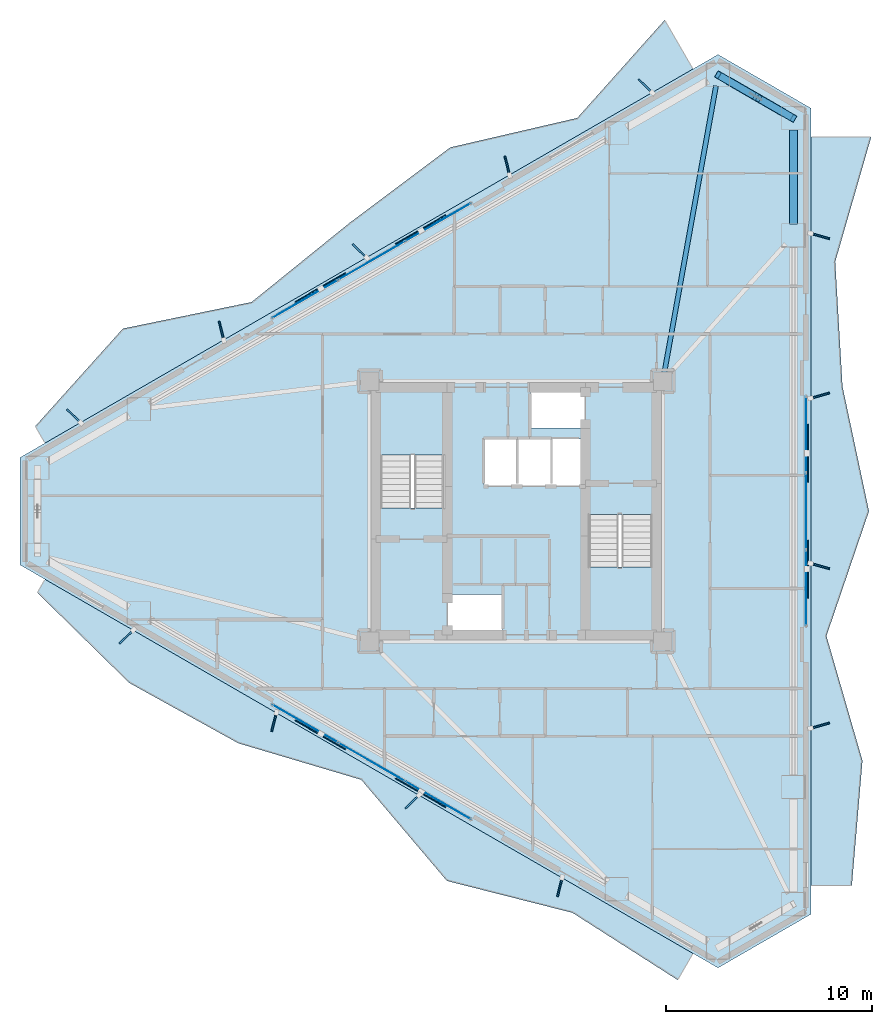
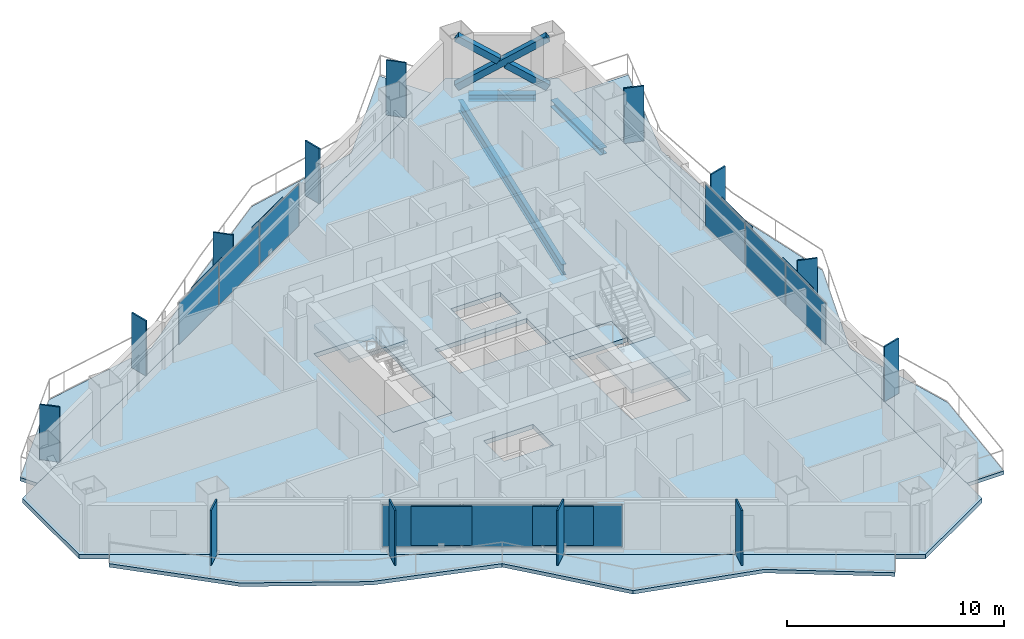
# One storey, part 14 of 22: 28 plates, 8 slabs, 3 beams, 3 members, 5 elements without a shape of their own.
"""IFC4 building model written with IfcOpenShell, lengths in metres."""

from ifc_helpers import new_model, si_unit, direction, frame, origin, origin_2d, place, context, subcontext, project, spatial, polyline, rectangle, hollow_rectangle, i_section, outline, extrude, material, layer, layer_set, material_profile, profile_set, type_object, element, aggregate, save


model = new_model("IFC4")

# Units and contexts
model_context = context("Model", 3, precision=1e-05, world=origin(), true_north=direction((0.0, 1.0)))
body_context = subcontext(model_context, "Body", "Model", "MODEL_VIEW")
ifc_project = project(units=[si_unit("LENGTHUNIT", "METRE"), si_unit("AREAUNIT", "SQUARE_METRE"), si_unit("VOLUMEUNIT", "CUBIC_METRE"), si_unit("PLANEANGLEUNIT", "RADIAN"), si_unit("MASSUNIT", "GRAM", prefix="KILO")], contexts=[model_context])

# Site, building, storey
site_placement = place(None, origin())
site = spatial("IfcSite", under=ifc_project, at=site_placement, CompositionType="ELEMENT")
building_placement = place(site_placement, origin())
building = spatial("IfcBuilding", under=site, at=building_placement, Name="Mersakhor Tower and Convention Hall", CompositionType="ELEMENT")
storey_placement = place(building_placement, frame((0.0, 0.0, 86.699951171875)))
storey = spatial("IfcBuildingStorey", under=building, at=storey_placement, Name="L23", CompositionType="ELEMENT", Elevation=86.699951171875)

# Beams
ifc_material_1 = material(Name="Steel S355", Category="steel")
ifc_material_profile_1 = material_profile(ifc_material_1, i_section(OverallWidth=0.22900390625, OverallDepth=0.6123046875, WebThickness=0.011962890625, FlangeThickness=0.01953125, at=origin_2d()), Name="UB 610x229x125")
ifc_profile_set_1 = profile_set([ifc_material_profile_1], Name="Steel S355")
beam_type_1 = type_object("IfcBeamType", Name="BM-PR-610", PredefinedType="BEAM", material=ifc_profile_set_1)
beam_1_placement = place(storey_placement, frame((36.17626953125, 33.47314453125, -0.55615234375), z_axis=(0.177414716723, 0.984136178732, 0.0), x_axis=(-0.984136178732, 0.177414716723, 0.0)))
element("IfcBeam", 1, at=beam_1_placement, inside=storey, type_object=beam_type_1, Name="L23 Primary Floor Girder FG-2", PredefinedType="BEAM", context=body_context, shape_type="SweptSolid", body=[
    extrude(i_section(OverallWidth=0.22900390625, OverallDepth=0.6123046875, WebThickness=0.011962890625, FlangeThickness=0.01953125, at=origin_2d()), origin(), (0.0, 0.0, 1.0), 14.11328125),
])
ifc_material_2 = material(Name="Steel S355", Category="steel")
ifc_material_profile_2 = material_profile(ifc_material_2, i_section(OverallWidth=0.374755859375, OverallDepth=0.37451171875, WebThickness=0.0166015625, FlangeThickness=0.027099609375, at=origin_2d()), Name="UC 356x368x202")
ifc_profile_set_2 = profile_set([ifc_material_profile_2], Name="Steel S355")
beam_type_2 = type_object("IfcBeamType", Name="BM-SPD-UC356", PredefinedType="SPANDREL", material=ifc_profile_set_2)
beam_2_placement = place(storey_placement, frame((39.25927734375, 47.631103515625, -0.437255859375), z_axis=(0.866052319632, -0.499953377486, 0.0), x_axis=(0.499953377486, 0.866052319632, 0.0)))
element("IfcBeam", 2, at=beam_2_placement, inside=storey, type_object=beam_type_2, Name="L23 Perimeter Spandrel Beam SPB-04", PredefinedType="SPANDREL", context=body_context, shape_type="SweptSolid", body=[
    extrude(i_section(OverallWidth=0.374755859375, OverallDepth=0.37451171875, WebThickness=0.0166015625, FlangeThickness=0.027099609375, at=origin_2d()), origin(), (0.0, 0.0, 1.0), 3.111572265625),
])
beam_3_placement = place(storey_placement, frame((42.4345703125, 45.242919921875, -0.437255859375), z_axis=(0.0, -1.0, 0.0), x_axis=(1.0, 0.0, 0.0)))
element("IfcBeam", 3, at=beam_3_placement, inside=storey, type_object=beam_type_2, Name="L23 Perimeter Spandrel Beam SPB-05", PredefinedType="SPANDREL", context=body_context, shape_type="SweptSolid", body=[
    extrude(i_section(OverallWidth=0.374755859375, OverallDepth=0.37451171875, WebThickness=0.0166015625, FlangeThickness=0.027099609375, at=origin_2d()), origin(), (0.0, 0.0, 1.0), 4.566162109375),
])

# Members
ifc_material_3 = material(Name="Steel S460", Category="steel")
ifc_material_profile_3 = material_profile(ifc_material_3, hollow_rectangle(XDim=0.35009765625, YDim=0.35009765625, WallThickness=0.02001953125, at=origin_2d()), Name="SHS 350x350x20")
ifc_profile_set_3 = profile_set([ifc_material_profile_3], Name="Steel S460")
member_type = type_object("IfcMemberType", Name="MB-BRC-SHS350", PredefinedType="BRACE", material=ifc_profile_set_3)
member_placement = place(storey_placement, frame((38.77880859375, 47.90869140625, 0.150146484375), z_axis=(0.725633725484, -0.418933054415, 0.545848689986), x_axis=(0.49998946241, 0.866031487579, 0.0)))
element("IfcMember", 4, at=member_placement, inside=storey, type_object=member_type, Name="L23 Chamfer Braced Frame Diagonal CB-1A", PredefinedType="BRACE", context=body_context, shape_type="SweptSolid", body=[
    extrude(hollow_rectangle(XDim=0.35009765625, YDim=0.35009765625, WallThickness=0.02001953125, at=origin_2d()), origin(), (0.0, 0.0, 1.0), 5.0380859375),
])
for number, where, z_axis, x_axis, name in (
    (5, (42.4345703125, 45.798095703125, 0.150146484375), (-0.725684866011, 0.418886985747, 0.545816057307), (-0.499921796684, -0.866070549782, 0.0), "L23 Chamfer Braced Frame Diagonal CB-1B Lower Half"),
    (6, (40.4619140625, 46.93701171875, 1.6337890625), (-0.725593346201, 0.41889491121, 0.545931634283), (-0.499976186015, -0.866039152359, 0.0), "L23 Chamfer Braced Frame Diagonal CB-1B Upper Half"),
):
    element("IfcMember", number, at=place(storey_placement, frame(where, z_axis=z_axis, x_axis=x_axis)), inside=storey, type_object=member_type, Name=name, PredefinedType="BRACE", context=body_context, shape_type="SweptSolid", body=[
        extrude(hollow_rectangle(XDim=0.35009765625, YDim=0.35009765625, WallThickness=0.02001953125, at=origin_2d()), origin(), (0.0, 0.0, 1.0), 2.319580078125),
    ])

# Curtain wall, plates
ifc_material_4 = material(Name="Dark solar low-E aluminium curtain wall", Category="aluminium")
ifc_layer_1 = layer(ifc_material_4, 0.159912109375)
ifc_layer_set_1 = layer_set([ifc_layer_1], Name="Dark solar low-E aluminium curtain wall")
curtain_wall_type = type_object("IfcCurtainWallType", Name="CW-SYS-01", PredefinedType="USERDEFINED", material=ifc_layer_set_1)
curtain_wall_1_placement = place(storey_placement, origin())
curtain_wall_1 = element("IfcCurtainWall", 7, at=curtain_wall_1_placement, inside=storey, type_object=curtain_wall_type, Name="L23 Dark-Glass Curtain Wall F1-B2", ObjectType="CURTAIN WALL", PredefinedType="USERDEFINED")
ifc_material_5 = material(Name="Dark solar double glazing", Category="glass")
ifc_layer_2 = layer(ifc_material_5, 0.02392578125)
ifc_layer_set_2 = layer_set([ifc_layer_2], Name="Dark solar double glazing")
plate_type_1 = type_object("IfcPlateType", Name="CWP-GLZ-24", PredefinedType="CURTAIN_PANEL", material=ifc_layer_set_2)
plate_1_placement = place(storey_placement, frame((18.75732421875, 37.042236328125, 0.260009765625), z_axis=(0.0, 0.0, 1.0), x_axis=(0.866026613339, 0.499997904985, 0.0)))
plate_1 = element("IfcPlate", 8, at=plate_1_placement, type_object=plate_type_1, Name="CW-01 panel 1.1", PredefinedType="CURTAIN_PANEL", context=body_context, shape_type="SweptSolid", body=[
    extrude(rectangle(XDim=3.630615234375, YDim=0.02392578125, at=origin_2d()), origin(), (0.0, 0.0, 1.0), 2.35009765625),
])
plate_2_placement = place(storey_placement, frame((21.982666015625, 38.904296875, 0.260009765625), z_axis=(0.0, 0.0, 1.0), x_axis=(0.866026613339, 0.499997904985, 0.0)))
plate_2 = element("IfcPlate", 9, at=plate_2_placement, type_object=plate_type_1, Name="CW-01 panel 2.1", PredefinedType="CURTAIN_PANEL", context=body_context, shape_type="SweptSolid", body=[
    extrude(rectangle(XDim=3.668212890625, YDim=0.02392578125, at=origin_2d()), origin(), (0.0, 0.0, 1.0), 2.35009765625),
])
plate_3_placement = place(storey_placement, frame((25.2080078125, 40.7666015625, 0.260009765625), z_axis=(0.0, 0.0, 1.0), x_axis=(0.866026613339, 0.499997904985, 0.0)))
plate_3 = element("IfcPlate", 10, at=plate_3_placement, type_object=plate_type_1, Name="CW-01 panel 3.1", PredefinedType="CURTAIN_PANEL", context=body_context, shape_type="SweptSolid", body=[
    extrude(rectangle(XDim=3.630615234375, YDim=0.02392578125, at=origin_2d()), origin(), (0.0, 0.0, 1.0), 2.35009765625),
])
aggregate(curtain_wall_1, [plate_1, plate_2, plate_3])

curtain_wall_2_placement = place(storey_placement, origin())
curtain_wall_2 = element("IfcCurtainWall", 11, at=curtain_wall_2_placement, inside=storey, type_object=curtain_wall_type, Name="L23 Dark-Glass Curtain Wall F2-B2", ObjectType="CURTAIN WALL", PredefinedType="USERDEFINED")
plate_4_placement = place(storey_placement, frame((43.03466796875, 30.474365234375, 0.260009765625), z_axis=(0.0, 0.0, 1.0), x_axis=(0.0, -1.0, 0.0)))
plate_4 = element("IfcPlate", 12, at=plate_4_placement, type_object=plate_type_1, Name="CW-01 panel 1.1", PredefinedType="CURTAIN_PANEL", context=body_context, shape_type="SweptSolid", body=[
    extrude(rectangle(XDim=3.630615234375, YDim=0.02392578125, at=origin_2d()), origin(), (0.0, 0.0, 1.0), 2.35009765625),
])
plate_5_placement = place(storey_placement, frame((43.03466796875, 26.75, 0.260009765625), z_axis=(0.0, 0.0, 1.0), x_axis=(0.0, -1.0, 0.0)))
plate_5 = element("IfcPlate", 13, at=plate_5_placement, type_object=plate_type_1, Name="CW-01 panel 2.1", PredefinedType="CURTAIN_PANEL", context=body_context, shape_type="SweptSolid", body=[
    extrude(rectangle(XDim=3.668212890625, YDim=0.02392578125, at=origin_2d()), origin(), (0.0, 0.0, 1.0), 2.35009765625),
])
plate_6_placement = place(storey_placement, frame((43.03466796875, 23.025634765625, 0.260009765625), z_axis=(0.0, 0.0, 1.0), x_axis=(0.0, -1.0, 0.0)))
plate_6 = element("IfcPlate", 14, at=plate_6_placement, type_object=plate_type_1, Name="CW-01 panel 3.1", PredefinedType="CURTAIN_PANEL", context=body_context, shape_type="SweptSolid", body=[
    extrude(rectangle(XDim=3.630615234375, YDim=0.02392578125, at=origin_2d()), origin(), (0.0, 0.0, 1.0), 2.35009765625),
])
aggregate(curtain_wall_2, [plate_4, plate_5, plate_6])

curtain_wall_3_placement = place(storey_placement, origin())
curtain_wall_3 = element("IfcCurtainWall", 15, at=curtain_wall_3_placement, inside=storey, type_object=curtain_wall_type, Name="L23 Dark-Glass Curtain Wall F3-B2", ObjectType="CURTAIN WALL", PredefinedType="USERDEFINED")
plate_7_placement = place(storey_placement, frame((25.2080078125, 12.7333984375, 0.260009765625), z_axis=(0.0, 0.0, 1.0), x_axis=(-0.866026613339, 0.499997904985, 0.0)))
plate_7 = element("IfcPlate", 16, at=plate_7_placement, type_object=plate_type_1, Name="CW-01 panel 1.1", PredefinedType="CURTAIN_PANEL", context=body_context, shape_type="SweptSolid", body=[
    extrude(rectangle(XDim=3.630615234375, YDim=0.02392578125, at=origin_2d()), origin(), (0.0, 0.0, 1.0), 2.35009765625),
])
plate_8_placement = place(storey_placement, frame((21.982666015625, 14.595703125, 0.260009765625), z_axis=(0.0, 0.0, 1.0), x_axis=(-0.866026613339, 0.499997904985, 0.0)))
plate_8 = element("IfcPlate", 17, at=plate_8_placement, type_object=plate_type_1, Name="CW-01 panel 2.1", PredefinedType="CURTAIN_PANEL", context=body_context, shape_type="SweptSolid", body=[
    extrude(rectangle(XDim=3.668212890625, YDim=0.02392578125, at=origin_2d()), origin(), (0.0, 0.0, 1.0), 2.35009765625),
])
plate_9_placement = place(storey_placement, frame((18.75732421875, 16.457763671875, 0.260009765625), z_axis=(0.0, 0.0, 1.0), x_axis=(-0.866026613339, 0.499997904985, 0.0)))
plate_9 = element("IfcPlate", 18, at=plate_9_placement, type_object=plate_type_1, Name="CW-01 panel 3.1", PredefinedType="CURTAIN_PANEL", context=body_context, shape_type="SweptSolid", body=[
    extrude(rectangle(XDim=3.630615234375, YDim=0.02392578125, at=origin_2d()), origin(), (0.0, 0.0, 1.0), 2.35009765625),
])
aggregate(curtain_wall_3, [plate_7, plate_8, plate_9])

# Plates
ifc_material_6 = material(Name="Ceramic-clad aluminium Zone 2 emerald-teal", Category="aluminium")
ifc_material_7 = material(Name="Ceramic-clad aluminium Zone 1 cobalt-slate", Category="masonry")
ifc_layer_3 = layer(ifc_material_7, 0.080078125)
ifc_layer_set_3 = layer_set([ifc_layer_3], Name="Ceramic-clad aluminium Zone 1 cobalt-slate")
plate_type_2 = type_object("IfcPlateType", Name="PL-FIN-80", PredefinedType="USERDEFINED", material=ifc_layer_set_3)
for number, where, z_axis, x_axis, name in (
    (19, (7.549560546875, 31.364013671875, 0.0), (0.0, 0.0, 1.0), (-0.719339800339, 0.694658370459, 0.0), "L23 Zone 2 Coloured Brise-Soleil Fin F1-1"),
    (20, (14.70458984375, 35.4951171875, 0.0), (0.0, 0.0, 1.0), (-0.2419218956, 0.970295726276, 0.0), "L23 Zone 2 Coloured Brise-Soleil Fin F1-2"),
    (21, (21.406005859375, 39.364013671875, 0.0), (0.0, 0.0, 1.0), (-0.719339800339, 0.694658370459, 0.0), "L23 Zone 2 Coloured Brise-Soleil Fin F1-3"),
    (22, (28.560791015625, 43.4951171875, 0.0), (0.0, 0.0, 1.0), (-0.2419218956, 0.970295726276, 0.0), "L23 Zone 2 Coloured Brise-Soleil Fin F1-4"),
    (23, (35.26220703125, 47.3642578125, 0.0), (0.0, 0.0, 1.0), (-0.719339800339, 0.694658370459, 0.0), "L23 Zone 2 Coloured Brise-Soleil Fin F1-5"),
    (24, (43.72119140625, 40.091064453125, 0.0), (0.0, 0.0, 1.0), (0.961261695938, -0.275637355817, 0.0), "L23 Zone 2 Coloured Brise-Soleil Fin F2-1"),
    (25, (43.72119140625, 32.35302734375, 0.0), (0.0, 0.0, 1.0), (0.961261695938, 0.275637355817, 0.0), "L23 Zone 2 Coloured Brise-Soleil Fin F2-2"),
    (26, (43.72119140625, 24.091064453125, 0.0), (0.0, 0.0, 1.0), (0.961261695938, -0.275637355817, 0.0), "L23 Zone 2 Coloured Brise-Soleil Fin F2-3"),
    (27, (43.72119140625, 16.35302734375, 0.0), (0.0, 0.0, 1.0), (0.961261695938, 0.275637355817, 0.0), "L23 Zone 2 Coloured Brise-Soleil Fin F2-4"),
    (28, (31.110595703125, 8.532958984375, 0.0), (0.0, 0.0, 1.0), (-0.2419218956, -0.970295726276, 0.0), "L23 Zone 2 Coloured Brise-Soleil Fin F3-1"),
    (29, (23.95556640625, 12.663818359375, 0.0), (0.0, 0.0, 1.0), (-0.719339800339, -0.694658370459, 0.0), "L23 Zone 2 Coloured Brise-Soleil Fin F3-2"),
    (30, (17.254150390625, 16.532958984375, 0.0), (0.0, 0.0, 1.0), (-0.2419218956, -0.970295726276, 0.0), "L23 Zone 2 Coloured Brise-Soleil Fin F3-3"),
    (31, (10.09912109375, 20.663818359375, 0.0), (0.0, 0.0, 1.0), (-0.719339800339, -0.694658370459, 0.0), "L23 Zone 2 Coloured Brise-Soleil Fin F3-4"),
):
    element("IfcPlate", number, at=place(storey_placement, frame(where, z_axis=z_axis, x_axis=x_axis)), inside=storey, type_object=plate_type_2, material=ifc_material_6, Name=name, ObjectType="FIN", PredefinedType="USERDEFINED", context=body_context, shape_type="SweptSolid", body=[
        extrude(rectangle(XDim=0.949951171875, YDim=0.080078125, at=origin_2d()), origin(), (0.0, 0.0, 1.0), 3.10009765625),
    ])
ifc_material_8 = material(Name="Perforated ceramic cobogo solar screen", Category="aluminium")
ifc_layer_4 = layer(ifc_material_8, 0.055908203125)
ifc_layer_set_4 = layer_set([ifc_layer_4], Name="Perforated ceramic cobogo solar screen")
plate_type_3 = type_object("IfcPlateType", Name="PL-SCR-56", PredefinedType="USERDEFINED", material=ifc_layer_set_4)
for number, where, z_axis, x_axis, name in (
    (32, (19.50244140625, 37.58544921875, 0.39990234375), (0.0, 0.0, 1.0), (0.866025403784, 0.5, 0.0), "L23 Perforated Ceramic Solar Screen F1-1"),
    (33, (24.364990234375, 40.392822265625, 0.39990234375), (0.0, 0.0, 1.0), (0.866025403784, 0.5, 0.0), "L23 Perforated Ceramic Solar Screen F1-2"),
    (34, (43.132568359375, 29.557373046875, 0.39990234375), (0.0, 0.0, 1.0), (0.0, -1.0, 0.0), "L23 Perforated Ceramic Solar Screen F2-1"),
    (35, (43.132568359375, 23.942626953125, 0.39990234375), (0.0, 0.0, 1.0), (0.0, -1.0, 0.0), "L23 Perforated Ceramic Solar Screen F2-2"),
    (36, (24.364990234375, 13.107177734375, 0.39990234375), (0.0, 0.0, 1.0), (-0.866025403784, 0.5, 0.0), "L23 Perforated Ceramic Solar Screen F3-1"),
    (37, (19.50244140625, 15.91455078125, 0.39990234375), (0.0, 0.0, 1.0), (-0.866025403784, 0.5, 0.0), "L23 Perforated Ceramic Solar Screen F3-2"),
):
    element("IfcPlate", number, at=place(storey_placement, frame(where, z_axis=z_axis, x_axis=x_axis)), inside=storey, type_object=plate_type_3, Name=name, ObjectType="SCREEN", PredefinedType="USERDEFINED", context=body_context, shape_type="SweptSolid", body=[
        extrude(rectangle(XDim=2.800048828125, YDim=0.055908203125, at=origin_2d()), origin(), (0.0, 0.0, 1.0), 2.219970703125),
    ])

# Slabs
ifc_material_9 = material(Name="Concrete C45/55", Category="concrete")
ifc_layer_5 = layer(ifc_material_9, 0.199951171875)
ifc_layer_set_5 = layer_set([ifc_layer_5], Name="Concrete C45/55")
slab_type_1 = type_object("IfcSlabType", Name="SL-BAL-200", PredefinedType="FLOOR", material=ifc_layer_set_5)
slab_1_placement = place(storey_placement, frame((0.0, 0.0, -0.199951171875)))
element("IfcSlab", 38, at=slab_1_placement, inside=storey, type_object=slab_type_1, Name="L23 Sinusoidal Balcony Slab Face 1", PredefinedType="FLOOR", context=body_context, shape_type="SweptSolid", body=[
    extrude(outline(polyline([(6.149169921875, 30.051513671875), (37.56640625, 48.190185546875), (36.194580078125, 50.566162109375), (31.955078125, 45.816650390625), (25.798095703125, 44.38818359375), (20.9248046875, 40.73681640625), (16.16455078125, 36.88916015625), (9.92529296875, 35.603515625), (5.677001953125, 30.869384765625), (6.149169921875, 30.051513671875)])), origin(), (0.0, 0.0, 1.0), 0.199951171875),
])
slab_2_placement = place(storey_placement, frame((0.0, 0.0, -0.199951171875)))
element("IfcSlab", 39, at=slab_2_placement, inside=storey, type_object=slab_type_1, Name="L23 Sinusoidal Balcony Slab Face 2", PredefinedType="FLOOR", context=body_context, shape_type="SweptSolid", body=[
    extrude(outline(polyline([(43.28466796875, 44.888671875), (43.28466796875, 8.611328125), (45.268798828125, 8.611328125), (45.781982421875, 14.657470703125), (44.03466796875, 20.703857421875), (46.097900390625, 26.75), (44.814208984375, 32.796142578125), (44.460693359375, 38.842529296875), (46.20458984375, 44.888671875), (43.28466796875, 44.888671875)])), origin(), (0.0, 0.0, 1.0), 0.199951171875),
])
slab_3_placement = place(storey_placement, frame((0.0, 0.0, -0.199951171875)))
element("IfcSlab", 40, at=slab_3_placement, inside=storey, type_object=slab_type_1, Name="L23 Sinusoidal Balcony Slab Face 3", PredefinedType="FLOOR", context=body_context, shape_type="SweptSolid", body=[
    extrude(outline(polyline([(37.56640625, 5.309814453125), (6.149169921875, 23.448486328125), (5.774169921875, 22.799072265625), (10.231689453125, 18.427001953125), (15.52294921875, 15.49951171875), (21.482666015625, 13.7294921875), (25.6337890625, 8.8271484375), (31.722900390625, 7.281494140625), (36.822998046875, 4.022216796875), (37.56640625, 5.309814453125)])), origin(), (0.0, 0.0, 1.0), 0.199951171875),
])
ifc_material_10 = material(Name="Concrete C40/50", Category="concrete")
ifc_layer_6 = layer(ifc_material_10, 0.25)
ifc_layer_set_6 = layer_set([ifc_layer_6], Name="Concrete C40/50")
slab_type_2 = type_object("IfcSlabType", Name="SL-FLR-250", PredefinedType="FLOOR", material=ifc_layer_set_6)
slab_4_placement = place(storey_placement, frame((0.0, 0.0, -0.25)))
element("IfcSlab", 41, at=slab_4_placement, inside=storey, type_object=slab_type_2, Name="L23 ST-1 Structural Stair Floor Landing", PredefinedType="LANDING", context=body_context, shape_type="SweptSolid", body=[
    extrude(outline(polyline([(25.550048828125, 25.39990234375), (25.550048828125, 26.89990234375), (22.39990234375, 26.89990234375), (22.39990234375, 25.39990234375), (25.550048828125, 25.39990234375)])), origin(), (0.0, 0.0, 1.0), 0.25),
])
slab_5_placement = place(storey_placement, frame((0.0, 0.0, -0.25)))
element("IfcSlab", 42, at=slab_5_placement, inside=storey, type_object=slab_type_2, Name="L23 ST-2 Structural Stair Floor Landing", PredefinedType="LANDING", context=body_context, shape_type="SweptSolid", body=[
    extrude(outline(polyline([(32.449951171875, 28.10009765625), (32.449951171875, 26.60009765625), (35.60009765625, 26.60009765625), (35.60009765625, 28.10009765625), (32.449951171875, 28.10009765625)])), origin(), (0.0, 0.0, 1.0), 0.25),
])
slab_6_placement = place(storey_placement, frame((0.0, 0.0, -0.25)))
element("IfcSlab", 43, at=slab_6_placement, inside=storey, type_object=slab_type_2, Name="Tower L23 Structural Floor Slab", PredefinedType="FLOOR", context=body_context, shape_type="SweptSolid", body=[
    extrude(outline(polyline([(4.936767578125, 29.3515625), (38.77880859375, 48.89013671875), (43.28466796875, 46.288818359375), (43.28466796875, 7.211181640625), (38.77880859375, 4.60986328125), (4.936767578125, 24.1484375), (4.936767578125, 29.3515625)]), holes=[polyline([(25.550048828125, 25.39990234375), (25.550048828125, 32.699951171875), (22.39990234375, 32.699951171875), (22.39990234375, 25.39990234375), (25.550048828125, 25.39990234375)]), polyline([(32.449951171875, 28.10009765625), (32.449951171875, 20.800048828125), (35.60009765625, 20.800048828125), (35.60009765625, 28.10009765625), (32.449951171875, 28.10009765625)]), polyline([(25.679931640625, 20.820068359375), (25.679931640625, 22.719970703125), (28.320068359375, 22.719970703125), (28.320068359375, 20.820068359375), (25.679931640625, 20.820068359375)]), polyline([(29.679931640625, 30.780029296875), (29.679931640625, 32.679931640625), (32.320068359375, 32.679931640625), (32.320068359375, 30.780029296875), (29.679931640625, 30.780029296875)]), polyline([(27.429931640625, 28.0), (27.429931640625, 30.25), (32.320068359375, 30.25), (32.320068359375, 28.0), (27.429931640625, 28.0)])]), origin(), (0.0, 0.0, 1.0), 0.25),
])

# Stair, slab
ifc_material_11 = material(Name="Concrete C45/55", Category="concrete")
stair_type = type_object("IfcStairType", Name="ST-TWR-20R", PredefinedType="HALF_TURN_STAIR", material=ifc_material_11)
stair_1_placement = place(storey_placement, origin())
stair_1 = element("IfcStair", 44, at=stair_1_placement, inside=storey, type_object=stair_type, Name="L23 Tower Protected Exit Stair ST-1", PredefinedType="HALF_TURN_STAIR")
ifc_material_12 = material(Name="Concrete C45/55", Category="concrete")
ifc_layer_7 = layer(ifc_material_12, 0.199951171875)
ifc_layer_set_7 = layer_set([ifc_layer_7], Name="Concrete C45/55")
slab_type_3 = type_object("IfcSlabType", Name="SL-LAND-200", PredefinedType="LANDING", material=ifc_layer_set_7)
slab_7_placement = place(storey_placement, frame((0.0, 0.0, 1.449951171875)))
slab_7 = element("IfcSlab", 45, at=slab_7_placement, type_object=slab_type_3, Name="ST-1 landing 1", PredefinedType="LANDING", context=body_context, shape_type="SweptSolid", body=[
    extrude(outline(polyline([(25.550048828125, 29.465087890625), (25.550048828125, 32.699951171875), (22.39990234375, 32.699951171875), (22.39990234375, 29.465087890625), (25.550048828125, 29.465087890625)])), origin(), (0.0, 0.0, 1.0), 0.2001953125),
])
aggregate(stair_1, [slab_7])

stair_2_placement = place(storey_placement, origin())
stair_2 = element("IfcStair", 46, at=stair_2_placement, inside=storey, type_object=stair_type, Name="L23 Tower Protected Exit Stair ST-2", PredefinedType="HALF_TURN_STAIR")
slab_8_placement = place(storey_placement, frame((0.0, 0.0, 1.449951171875)))
slab_8 = element("IfcSlab", 47, at=slab_8_placement, type_object=slab_type_3, Name="ST-2 landing 1", PredefinedType="LANDING", context=body_context, shape_type="SweptSolid", body=[
    extrude(outline(polyline([(32.449951171875, 24.034912109375), (32.449951171875, 20.800048828125), (35.60009765625, 20.800048828125), (35.60009765625, 24.034912109375), (32.449951171875, 24.034912109375)])), origin(), (0.0, 0.0, 1.0), 0.2001953125),
])
aggregate(stair_2, [slab_8])

save(model, "model.ifc")
